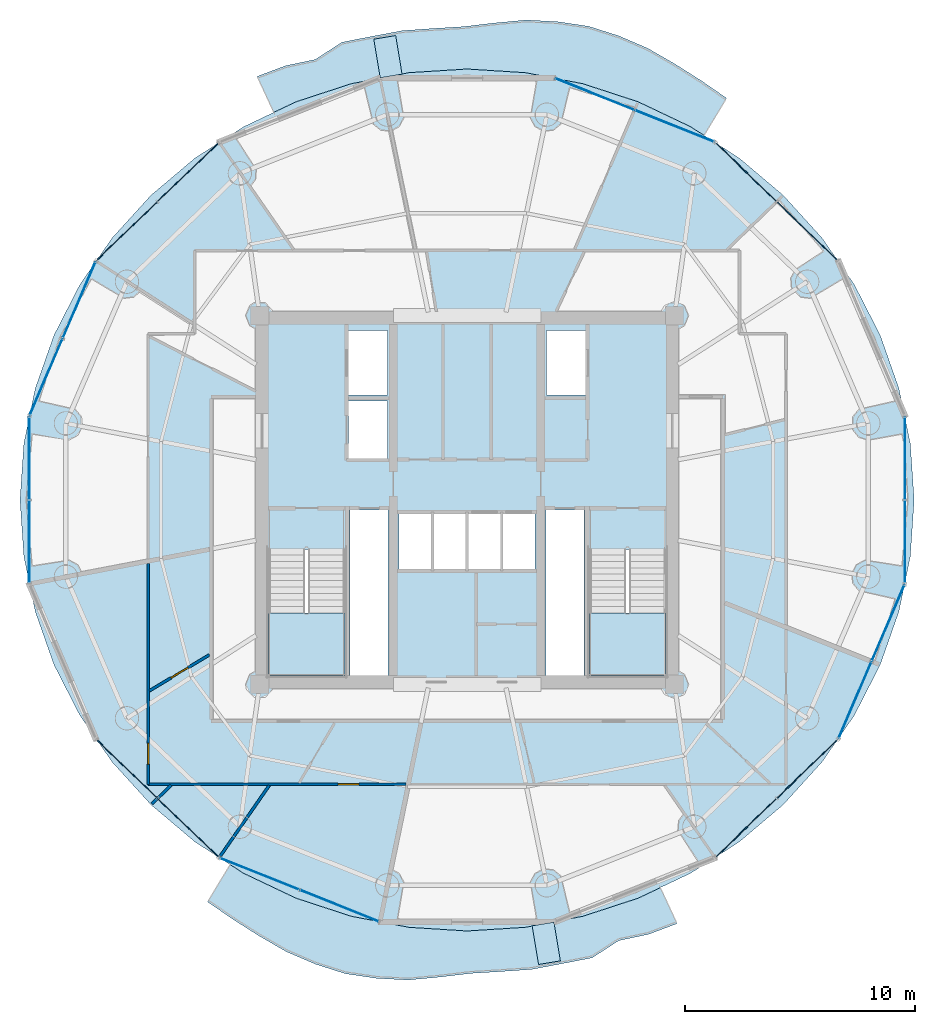
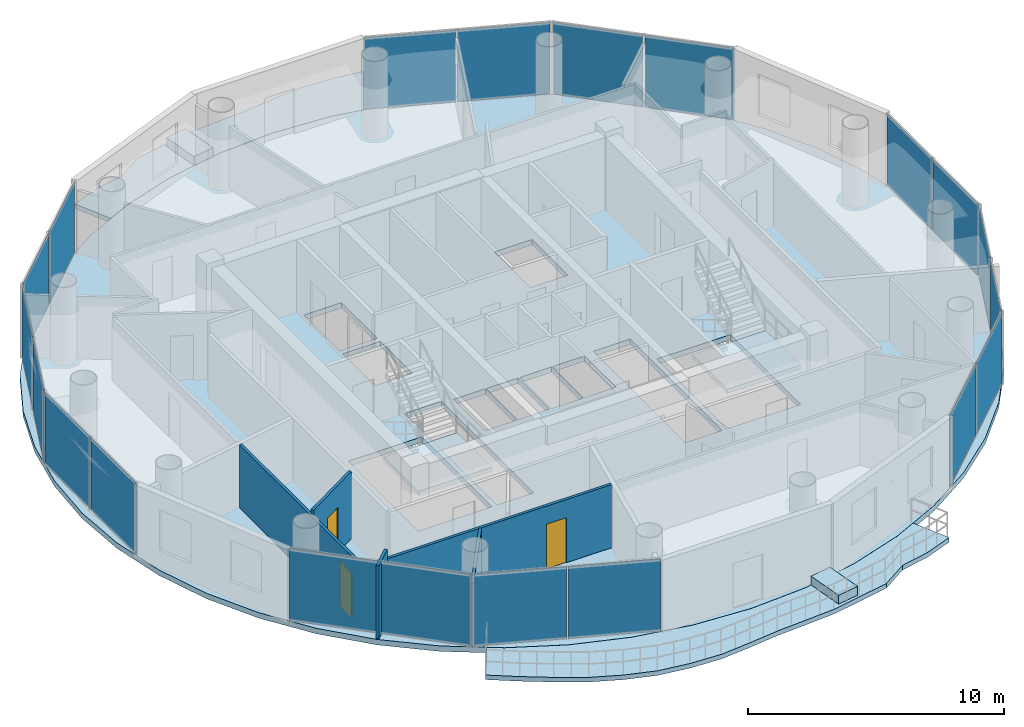
# One storey, part 16 of 23: 20 plates, 7 slabs, 5 walls, 3 doors, 3 openings, 12 elements without a shape of their own.
"""IFC4 building model written with IfcOpenShell, lengths in metres."""

from ifc_helpers import new_model, si_unit, direction, frame, frame_2d, origin, origin_2d, place, context, subcontext, project, spatial, polyline, rectangle, outline, extrude, source, transform, mapped, material, layer, layer_set, type_object, element, fill, aggregate, save


model = new_model("IFC4")

# Units and contexts
model_context = context("Model", 3, precision=1e-05, world=origin(), true_north=direction((-0.2419218956, 0.970295726276)))
body_context = subcontext(model_context, "Body", "Model", "MODEL_VIEW")
ifc_project = project(units=[si_unit("LENGTHUNIT", "METRE"), si_unit("AREAUNIT", "SQUARE_METRE"), si_unit("VOLUMEUNIT", "CUBIC_METRE"), si_unit("PLANEANGLEUNIT", "RADIAN"), si_unit("MASSUNIT", "GRAM", prefix="KILO")], contexts=[model_context])

# Site, building, storey
site_placement = place(None, origin())
site = spatial("IfcSite", under=ifc_project, at=site_placement, CompositionType="ELEMENT")
building_placement = place(site_placement, origin())
building = spatial("IfcBuilding", under=site, at=building_placement, Name="Cobrevalo Terracotta Tower", CompositionType="ELEMENT")
storey_placement = place(building_placement, frame((0.0, 0.0, 248.199951171875)))
storey = spatial("IfcBuildingStorey", under=building, at=storey_placement, Name="L65", CompositionType="ELEMENT", Elevation=248.199951171875)

# Stair, slab
ifc_material_1 = material(Name="Concrete C50", Category="concrete")
stair_type = type_object("IfcStairType", Name="Core protected escape dogleg stair 1600", PredefinedType="HALF_TURN_STAIR", material=ifc_material_1)
stair_1_placement = place(storey_placement, origin())
stair_1 = element("IfcStair", 1, at=stair_1_placement, inside=storey, type_object=stair_type, Name="L65 Protected exit stair ST-1", PredefinedType="HALF_TURN_STAIR")
ifc_layer_1 = layer(ifc_material_1, 0.199951171875)
ifc_layer_set_1 = layer_set([ifc_layer_1], Name="Concrete C50")
slab_type_1 = type_object("IfcSlabType", Name="Reinforced Concrete Stair Landing 200", PredefinedType="LANDING", material=ifc_layer_set_1)
slab_1_placement = place(storey_placement, frame((0.0, 0.0, 1.675048828125)))
slab_1 = element("IfcSlab", 2, at=slab_1_placement, type_object=slab_type_1, Name="ST-1 landing 1", PredefinedType="LANDING", context=body_context, shape_type="SweptSolid", body=[
    extrude(outline(polyline([(29.375, 21.89990234375), (29.375, 19.175048828125), (32.695068359375, 19.175048828125), (32.695068359375, 21.89990234375), (29.375, 21.89990234375)])), origin(), (0.0, 0.0, 1.0), 0.199951171875),
])
aggregate(stair_1, [slab_1])

stair_2_placement = place(storey_placement, origin())
stair_2 = element("IfcStair", 3, at=stair_2_placement, inside=storey, type_object=stair_type, Name="L65 Protected exit stair ST-2", PredefinedType="HALF_TURN_STAIR")
slab_2_placement = place(storey_placement, frame((0.0, 0.0, 1.675048828125)))
slab_2 = element("IfcSlab", 4, at=slab_2_placement, type_object=slab_type_1, Name="ST-2 landing 1", PredefinedType="LANDING", context=body_context, shape_type="SweptSolid", body=[
    extrude(outline(polyline([(43.304931640625, 21.89990234375), (43.304931640625, 19.175048828125), (46.625, 19.175048828125), (46.625, 21.89990234375), (43.304931640625, 21.89990234375)])), origin(), (0.0, 0.0, 1.0), 0.199951171875),
])
aggregate(stair_2, [slab_2])

# Slabs
ifc_material_2 = material(Name="Concrete C45", Category="concrete")
ifc_layer_2 = layer(ifc_material_2, 0.219970703125)
ifc_layer_set_2 = layer_set([ifc_layer_2], Name="Concrete C45")
slab_type_2 = type_object("IfcSlabType", Name="Spiralling cantilevered balcony lobe slab 220 mm", PredefinedType="FLOOR", material=ifc_layer_set_2)
slab_3_placement = place(storey_placement, frame((0.0, 0.0, -0.219970703125)))
element("IfcSlab", 5, at=slab_3_placement, inside=storey, type_object=slab_type_2, Name="L65 spiralling arc balcony slab lobe 1", PredefinedType="FLOOR", context=body_context, shape_type="SweptSolid", body=[
    extrude(outline(polyline([(49.260498046875, 44.23681640625), (48.162841796875, 44.993408203125), (47.02294921875, 45.716796875), (45.843017578125, 46.398193359375), (44.586669921875, 46.9384765625), (43.283203125, 47.353271484375), (41.92626953125, 47.5556640625), (40.560546875, 47.6279296875), (39.19189453125, 47.500732421875), (37.84912109375, 47.34130859375), (36.518310546875, 47.260009765625), (35.188720703125, 47.166748046875), (33.8798828125, 46.919189453125), (32.572021484375, 46.6650390625), (31.416259765625, 45.916748046875), (30.12109375, 45.6435546875), (28.88916015625, 45.180908203125), (29.612060546875, 43.62060546875), (30.5751953125, 44.078369140625), (32.978271484375, 44.86474609375), (35.467529296875, 45.342041015625), (38.0, 45.501953125), (40.532470703125, 45.342041015625), (43.021728515625, 44.86474609375), (45.4248046875, 44.078369140625), (47.700927734375, 42.996337890625), (48.284423828125, 42.62060546875), (49.260498046875, 44.23681640625)])), origin(), (0.0, 0.0, 1.0), 0.219970703125),
])
slab_4_placement = place(storey_placement, frame((0.0, 0.0, -0.219970703125)))
element("IfcSlab", 6, at=slab_4_placement, inside=storey, type_object=slab_type_2, Name="L65 spiralling arc balcony slab lobe 2", PredefinedType="FLOOR", context=body_context, shape_type="SweptSolid", body=[
    extrude(outline(polyline([(26.739501953125, 9.36328125), (27.837158203125, 8.6064453125), (28.97705078125, 7.88330078125), (30.156982421875, 7.20166015625), (31.413330078125, 6.66162109375), (32.716796875, 6.24658203125), (34.07373046875, 6.04443359375), (35.439453125, 5.97216796875), (36.80810546875, 6.099365234375), (38.15087890625, 6.2587890625), (39.481689453125, 6.33984375), (40.811279296875, 6.433349609375), (42.1201171875, 6.6806640625), (43.427978515625, 6.93505859375), (44.583740234375, 7.683349609375), (45.87890625, 7.95654296875), (47.11083984375, 8.419189453125), (46.387939453125, 9.9794921875), (45.4248046875, 9.521484375), (43.021728515625, 8.7353515625), (40.532470703125, 8.258056640625), (38.0, 8.097900390625), (35.467529296875, 8.258056640625), (32.978271484375, 8.7353515625), (30.5751953125, 9.521484375), (28.299072265625, 10.603515625), (27.715576171875, 10.979248046875), (26.739501953125, 9.36328125)])), origin(), (0.0, 0.0, 1.0), 0.219970703125),
])
ifc_material_3 = material(Name="Precast concrete C45", Category="concrete")
ifc_layer_3 = layer(ifc_material_3, 0.419921875)
ifc_layer_set_3 = layer_set([ifc_layer_3], Name="Precast concrete C45")
slab_type_3 = type_object("IfcSlabType", Name="Structural tree planter trough base 420 mm", PredefinedType="USERDEFINED", material=ifc_layer_set_3)
slab_5_placement = place(storey_placement, origin())
element("IfcSlab", 7, at=slab_5_placement, inside=storey, type_object=slab_type_3, Name="L65 structural tree planter trough 1", ObjectType="PLANTER", PredefinedType="USERDEFINED", context=body_context, shape_type="SweptSolid", body=[
    extrude(outline(polyline([(35.1787109375, 45.276611328125), (34.899658203125, 46.95361328125), (33.95263671875, 46.796142578125), (34.231689453125, 45.119140625), (35.1787109375, 45.276611328125)])), origin(), (0.0, 0.0, 1.0), 0.420166015625),
])
slab_6_placement = place(storey_placement, origin())
element("IfcSlab", 8, at=slab_6_placement, inside=storey, type_object=slab_type_3, Name="L65 structural tree planter trough 2", ObjectType="PLANTER", PredefinedType="USERDEFINED", context=body_context, shape_type="SweptSolid", body=[
    extrude(outline(polyline([(40.8212890625, 8.3232421875), (41.100341796875, 6.646240234375), (42.04736328125, 6.803955078125), (41.768310546875, 8.48095703125), (40.8212890625, 8.3232421875)])), origin(), (0.0, 0.0, 1.0), 0.420166015625),
])
ifc_layer_4 = layer(ifc_material_2, 0.260009765625)
ifc_layer_set_4 = layer_set([ifc_layer_4], Name="Concrete C45")
slab_type_4 = type_object("IfcSlabType", Name="Zone Z5 elliptical floor plate 260 mm", PredefinedType="FLOOR", material=ifc_layer_set_4)
slab_7_placement = place(storey_placement, frame((0.0, 0.0, -0.260009765625)))
element("IfcSlab", 9, at=slab_7_placement, inside=storey, type_object=slab_type_4, Name="L65 indoor elliptical floor slab", PredefinedType="FLOOR", context=body_context, shape_type="SweptSolid", body=[
    extrude(outline(polyline([(57.234130859375, 24.359130859375), (56.739013671875, 21.9599609375), (55.92333984375, 19.643798828125), (54.80078125, 17.449951171875), (53.39111328125, 15.416259765625), (51.7177734375, 13.5771484375), (49.81005859375, 11.96435546875), (47.699951171875, 10.605224609375), (45.424072265625, 9.5234375), (43.02099609375, 8.7373046875), (40.5322265625, 8.260009765625), (38.0, 8.10009765625), (35.4677734375, 8.260009765625), (32.97900390625, 8.7373046875), (30.575927734375, 9.5234375), (28.300048828125, 10.605224609375), (26.18994140625, 11.96435546875), (24.2822265625, 13.5771484375), (22.60888671875, 15.416259765625), (21.19921875, 17.449951171875), (20.07666015625, 19.643798828125), (19.260986328125, 21.9599609375), (18.765869140625, 24.359130859375), (18.60009765625, 26.800048828125), (18.765869140625, 29.24072265625), (19.260986328125, 31.639892578125), (20.07666015625, 33.956298828125), (21.19921875, 36.14990234375), (22.60888671875, 38.183837890625), (24.2822265625, 40.02294921875), (26.18994140625, 41.6357421875), (28.300048828125, 42.99462890625), (30.575927734375, 44.07666015625), (32.97900390625, 44.86279296875), (35.4677734375, 45.340087890625), (38.0, 45.5), (40.5322265625, 45.340087890625), (43.02099609375, 44.86279296875), (45.424072265625, 44.07666015625), (47.699951171875, 42.99462890625), (49.81005859375, 41.6357421875), (51.7177734375, 40.02294921875), (53.39111328125, 38.183837890625), (54.80078125, 36.14990234375), (55.92333984375, 33.956298828125), (56.739013671875, 31.639892578125), (57.234130859375, 29.24072265625), (57.39990234375, 26.800048828125), (57.234130859375, 24.359130859375)]), holes=[polyline([(32.695068359375, 19.175048828125), (32.695068359375, 24.659912109375), (29.375, 24.659912109375), (29.375, 19.175048828125), (32.695068359375, 19.175048828125)]), polyline([(34.574951171875, 26.360107421875), (32.919921875, 26.360107421875), (32.919921875, 19.175048828125), (34.574951171875, 19.175048828125), (34.574951171875, 26.360107421875)]), polyline([(36.47998046875, 26.25), (35.050048828125, 26.25), (35.050048828125, 23.800048828125), (36.47998046875, 23.800048828125), (36.47998046875, 26.25)]), polyline([(37.9599609375, 23.800048828125), (37.9599609375, 26.25), (36.530029296875, 26.25), (36.530029296875, 23.800048828125), (37.9599609375, 23.800048828125)]), polyline([(34.550048828125, 28.60009765625), (34.550048828125, 31.10009765625), (32.85009765625, 31.10009765625), (32.85009765625, 28.60009765625), (34.550048828125, 28.60009765625)]), polyline([(34.550048828125, 34.14990234375), (32.85009765625, 34.14990234375), (32.85009765625, 31.35009765625), (34.550048828125, 31.35009765625), (34.550048828125, 34.14990234375)]), polyline([(43.304931640625, 19.175048828125), (46.625, 19.175048828125), (46.625, 24.659912109375), (43.304931640625, 24.659912109375), (43.304931640625, 19.175048828125)]), polyline([(43.080078125, 19.175048828125), (43.080078125, 26.360107421875), (41.425048828125, 26.360107421875), (41.425048828125, 19.175048828125), (43.080078125, 19.175048828125)]), polyline([(39.469970703125, 26.25), (38.0400390625, 26.25), (38.0400390625, 23.800048828125), (39.469970703125, 23.800048828125), (39.469970703125, 26.25)]), polyline([(40.949951171875, 23.800048828125), (40.949951171875, 26.25), (39.52001953125, 26.25), (39.52001953125, 23.800048828125), (40.949951171875, 23.800048828125)]), polyline([(43.14990234375, 31.35009765625), (43.14990234375, 34.14990234375), (41.449951171875, 34.14990234375), (41.449951171875, 31.35009765625), (43.14990234375, 31.35009765625)])]), origin(), (0.0, 0.0, 1.0), 0.260009765625),
])

# Curtain wall, plates
ifc_material_4 = material(Name="Anodized aluminium", Category="aluminium")
curtain_wall_type = type_object("IfcCurtainWallType", Name="Upper-tower triple-glazed penthouse curtain wall CW-U3", PredefinedType="NOTDEFINED", material=ifc_material_4)
curtain_wall_1_placement = place(storey_placement, origin())
curtain_wall_1 = element("IfcCurtainWall", 10, at=curtain_wall_1_placement, inside=storey, type_object=curtain_wall_type, Name="L65 curtain wall CW-L65-S02", PredefinedType="NOTDEFINED")
ifc_material_5 = material(Name="Solar-control low-E double glazing", Category="glass")
ifc_layer_5 = layer(ifc_material_5, 0.028076171875)
ifc_layer_set_5 = layer_set([ifc_layer_5], Name="Solar-control low-E double glazing")
plate_type = type_object("IfcPlateType", Name="Tower solar-control low-E vision glass panel 28 mm", PredefinedType="CURTAIN_PANEL", material=ifc_layer_set_5)
shared_shape_1 = source(origin(), body_context, "Body", "SweptSolid", [
    extrude(rectangle(XDim=3.59130859375, YDim=0.035888671875, at=origin_2d()), origin(), (0.0, 0.0, 1.0), 3.409912109375),
])
plate_1_placement = place(storey_placement, frame((52.755126953125, 38.47412109375, 0.0400390625), z_axis=(0.0, 0.0, 1.0), x_axis=(-0.719996603293, 0.693977586992, 0.0)))
plate_1 = element("IfcPlate", 11, at=plate_1_placement, type_object=plate_type, Name="CW-L65-S02 glazing panel B01", PredefinedType="CURTAIN_PANEL", context=body_context, shape_type="MappedRepresentation", body=[
    mapped(shared_shape_1, transform((0.0, 0.0, 0.0), scale=1.0)),
])
plate_2_placement = place(storey_placement, frame((50.11181640625, 41.02197265625, 0.0400390625), z_axis=(0.0, 0.0, 1.0), x_axis=(-0.719996603293, 0.693977586992, 0.0)))
plate_2 = element("IfcPlate", 12, at=plate_2_placement, type_object=plate_type, Name="CW-L65-S02 glazing panel B02", PredefinedType="CURTAIN_PANEL", context=body_context, shape_type="MappedRepresentation", body=[
    mapped(shared_shape_1, transform((0.0, 0.0, 0.0), scale=1.0)),
])
aggregate(curtain_wall_1, [plate_1, plate_2])

curtain_wall_2_placement = place(storey_placement, origin())
curtain_wall_2 = element("IfcCurtainWall", 13, at=curtain_wall_2_placement, inside=storey, type_object=curtain_wall_type, Name="L65 curtain wall CW-L65-S06", PredefinedType="NOTDEFINED")
plate_3_placement = place(storey_placement, frame((25.88818359375, 41.02197265625, 0.0400390625), z_axis=(0.0, 0.0, 1.0), x_axis=(-0.719996603293, -0.693977586992, 0.0)))
plate_3 = element("IfcPlate", 14, at=plate_3_placement, type_object=plate_type, Name="CW-L65-S06 glazing panel B01", PredefinedType="CURTAIN_PANEL", context=body_context, shape_type="MappedRepresentation", body=[
    mapped(shared_shape_1, transform((0.0, 0.0, 0.0), scale=1.0)),
])
plate_4_placement = place(storey_placement, frame((23.244873046875, 38.47412109375, 0.0400390625), z_axis=(0.0, 0.0, 1.0), x_axis=(-0.719996603293, -0.693977586992, 0.0)))
plate_4 = element("IfcPlate", 15, at=plate_4_placement, type_object=plate_type, Name="CW-L65-S06 glazing panel B02", PredefinedType="CURTAIN_PANEL", context=body_context, shape_type="MappedRepresentation", body=[
    mapped(shared_shape_1, transform((0.0, 0.0, 0.0), scale=1.0)),
])
aggregate(curtain_wall_2, [plate_3, plate_4])

curtain_wall_3_placement = place(storey_placement, origin())
curtain_wall_3 = element("IfcCurtainWall", 16, at=curtain_wall_3_placement, inside=storey, type_object=curtain_wall_type, Name="L65 curtain wall CW-L65-S10", PredefinedType="NOTDEFINED")
plate_5_placement = place(storey_placement, frame((23.244873046875, 15.1259765625, 0.0400390625), z_axis=(0.0, 0.0, 1.0), x_axis=(0.719996603293, -0.693977586992, 0.0)))
plate_5 = element("IfcPlate", 17, at=plate_5_placement, type_object=plate_type, Name="CW-L65-S10 glazing panel B01", PredefinedType="CURTAIN_PANEL", context=body_context, shape_type="MappedRepresentation", body=[
    mapped(shared_shape_1, transform((0.0, 0.0, 0.0), scale=1.0)),
])
plate_6_placement = place(storey_placement, frame((25.88818359375, 12.578125, 0.0400390625), z_axis=(0.0, 0.0, 1.0), x_axis=(0.719996603293, -0.693977586992, 0.0)))
plate_6 = element("IfcPlate", 18, at=plate_6_placement, type_object=plate_type, Name="CW-L65-S10 glazing panel B02", PredefinedType="CURTAIN_PANEL", context=body_context, shape_type="MappedRepresentation", body=[
    mapped(shared_shape_1, transform((0.0, 0.0, 0.0), scale=1.0)),
])
aggregate(curtain_wall_3, [plate_5, plate_6])

curtain_wall_4_placement = place(storey_placement, origin())
curtain_wall_4 = element("IfcCurtainWall", 19, at=curtain_wall_4_placement, inside=storey, type_object=curtain_wall_type, Name="L65 curtain wall CW-L65-S14", PredefinedType="NOTDEFINED")
plate_7_placement = place(storey_placement, frame((50.11181640625, 12.578125, 0.0400390625), z_axis=(0.0, 0.0, 1.0), x_axis=(0.719996603293, 0.693977586992, 0.0)))
plate_7 = element("IfcPlate", 20, at=plate_7_placement, type_object=plate_type, Name="CW-L65-S14 glazing panel B01", PredefinedType="CURTAIN_PANEL", context=body_context, shape_type="MappedRepresentation", body=[
    mapped(shared_shape_1, transform((0.0, 0.0, 0.0), scale=1.0)),
])
plate_8_placement = place(storey_placement, frame((52.755126953125, 15.1259765625, 0.0400390625), z_axis=(0.0, 0.0, 1.0), x_axis=(0.719996603293, 0.693977586992, 0.0)))
plate_8 = element("IfcPlate", 21, at=plate_8_placement, type_object=plate_type, Name="CW-L65-S14 glazing panel B02", PredefinedType="CURTAIN_PANEL", context=body_context, shape_type="MappedRepresentation", body=[
    mapped(shared_shape_1, transform((0.0, 0.0, 0.0), scale=1.0)),
])
aggregate(curtain_wall_4, [plate_7, plate_8])

curtain_wall_5_placement = place(storey_placement, origin())
curtain_wall_5 = element("IfcCurtainWall", 22, at=curtain_wall_5_placement, inside=storey, type_object=curtain_wall_type, Name="L65 curtain wall CW-L65-S03", PredefinedType="NOTDEFINED")
shared_shape_2 = source(origin(), body_context, "Body", "SweptSolid", [
    extrude(rectangle(XDim=3.63916015625, YDim=0.035888671875, at=origin_2d()), origin(), (0.0, 0.0, 1.0), 3.409912109375),
])
plate_9_placement = place(storey_placement, frame((46.997314453125, 43.02783203125, 0.0400390625), z_axis=(0.0, 0.0, 1.0), x_axis=(-0.92871833374, 0.370785998353, 0.0)))
plate_9 = element("IfcPlate", 23, at=plate_9_placement, type_object=plate_type, Name="CW-L65-S03 glazing panel B01", PredefinedType="CURTAIN_PANEL", context=body_context, shape_type="MappedRepresentation", body=[
    mapped(shared_shape_2, transform((0.0, 0.0, 0.0), scale=1.0)),
])
plate_10_placement = place(storey_placement, frame((43.543212890625, 44.406982421875, 0.0400390625), z_axis=(0.0, 0.0, 1.0), x_axis=(-0.92871833374, 0.370785998353, 0.0)))
plate_10 = element("IfcPlate", 24, at=plate_10_placement, type_object=plate_type, Name="CW-L65-S03 glazing panel B02", PredefinedType="CURTAIN_PANEL", context=body_context, shape_type="MappedRepresentation", body=[
    mapped(shared_shape_2, transform((0.0, 0.0, 0.0), scale=1.0)),
])
aggregate(curtain_wall_5, [plate_9, plate_10])

curtain_wall_6_placement = place(storey_placement, origin())
curtain_wall_6 = element("IfcCurtainWall", 25, at=curtain_wall_6_placement, inside=storey, type_object=curtain_wall_type, Name="L65 curtain wall CW-L65-S11", PredefinedType="NOTDEFINED")
plate_11_placement = place(storey_placement, frame((29.002685546875, 10.572021484375, 0.0400390625), z_axis=(0.0, 0.0, 1.0), x_axis=(0.92871833374, -0.370785998353, 0.0)))
plate_11 = element("IfcPlate", 26, at=plate_11_placement, type_object=plate_type, Name="CW-L65-S11 glazing panel B01", PredefinedType="CURTAIN_PANEL", context=body_context, shape_type="MappedRepresentation", body=[
    mapped(shared_shape_2, transform((0.0, 0.0, 0.0), scale=1.0)),
])
plate_12_placement = place(storey_placement, frame((32.456787109375, 9.193115234375, 0.0400390625), z_axis=(0.0, 0.0, 1.0), x_axis=(0.92871833374, -0.370785998353, 0.0)))
plate_12 = element("IfcPlate", 27, at=plate_12_placement, type_object=plate_type, Name="CW-L65-S11 glazing panel B02", PredefinedType="CURTAIN_PANEL", context=body_context, shape_type="MappedRepresentation", body=[
    mapped(shared_shape_2, transform((0.0, 0.0, 0.0), scale=1.0)),
])
aggregate(curtain_wall_6, [plate_11, plate_12])

curtain_wall_7_placement = place(storey_placement, origin())
curtain_wall_7 = element("IfcCurtainWall", 28, at=curtain_wall_7_placement, inside=storey, type_object=curtain_wall_type, Name="L65 curtain wall CW-L65-S07", PredefinedType="NOTDEFINED")
shared_shape_3 = source(origin(), body_context, "Body", "SweptSolid", [
    extrude(rectangle(XDim=3.542724609375, YDim=0.035888671875, at=origin_2d()), origin(), (0.0, 0.0, 1.0), 3.409912109375),
])
plate_13_placement = place(storey_placement, frame((21.16357421875, 35.4716796875, 0.0400390625), z_axis=(0.0, 0.0, 1.0), x_axis=(-0.394828845134, -0.918754691444, 0.0)))
plate_13 = element("IfcPlate", 29, at=plate_13_placement, type_object=plate_type, Name="CW-L65-S07 glazing panel B01", PredefinedType="CURTAIN_PANEL", context=body_context, shape_type="MappedRepresentation", body=[
    mapped(shared_shape_3, transform((0.0, 0.0, 0.0), scale=1.0)),
])
plate_14_placement = place(storey_placement, frame((19.733154296875, 32.143310546875, 0.0400390625), z_axis=(0.0, 0.0, 1.0), x_axis=(-0.394828845134, -0.918754691444, 0.0)))
plate_14 = element("IfcPlate", 30, at=plate_14_placement, type_object=plate_type, Name="CW-L65-S07 glazing panel B02", PredefinedType="CURTAIN_PANEL", context=body_context, shape_type="MappedRepresentation", body=[
    mapped(shared_shape_3, transform((0.0, 0.0, 0.0), scale=1.0)),
])
aggregate(curtain_wall_7, [plate_13, plate_14])

curtain_wall_8_placement = place(storey_placement, origin())
curtain_wall_8 = element("IfcCurtainWall", 31, at=curtain_wall_8_placement, inside=storey, type_object=curtain_wall_type, Name="L65 curtain wall CW-L65-S15", PredefinedType="NOTDEFINED")
plate_15_placement = place(storey_placement, frame((54.83642578125, 18.12841796875, 0.0400390625), z_axis=(0.0, 0.0, 1.0), x_axis=(0.394828845134, 0.918754691444, 0.0)))
plate_15 = element("IfcPlate", 32, at=plate_15_placement, type_object=plate_type, Name="CW-L65-S15 glazing panel B01", PredefinedType="CURTAIN_PANEL", context=body_context, shape_type="MappedRepresentation", body=[
    mapped(shared_shape_3, transform((0.0, 0.0, 0.0), scale=1.0)),
])
plate_16_placement = place(storey_placement, frame((56.266845703125, 21.456787109375, 0.0400390625), z_axis=(0.0, 0.0, 1.0), x_axis=(0.394828845134, 0.918754691444, 0.0)))
plate_16 = element("IfcPlate", 33, at=plate_16_placement, type_object=plate_type, Name="CW-L65-S15 glazing panel B02", PredefinedType="CURTAIN_PANEL", context=body_context, shape_type="MappedRepresentation", body=[
    mapped(shared_shape_3, transform((0.0, 0.0, 0.0), scale=1.0)),
])
aggregate(curtain_wall_8, [plate_15, plate_16])

curtain_wall_9_placement = place(storey_placement, origin())
curtain_wall_9 = element("IfcCurtainWall", 34, at=curtain_wall_9_placement, inside=storey, type_object=curtain_wall_type, Name="L65 curtain wall CW-L65-S08", PredefinedType="NOTDEFINED")
shared_shape_4 = source(origin(), body_context, "Body", "SweptSolid", [
    extrude(rectangle(XDim=3.522216796875, YDim=0.035888671875, at=origin_2d()), origin(), (0.0, 0.0, 1.0), 3.409912109375),
])
plate_17_placement = place(storey_placement, frame((19.002197265625, 28.60107421875, 0.0400390625), z_axis=(0.0, 0.0, 1.0), x_axis=(0.0, -1.0, 0.0)))
plate_17 = element("IfcPlate", 35, at=plate_17_placement, type_object=plate_type, Name="CW-L65-S08 glazing panel B01", PredefinedType="CURTAIN_PANEL", context=body_context, shape_type="MappedRepresentation", body=[
    mapped(shared_shape_4, transform((0.0, 0.0, 0.0), scale=1.0)),
])
plate_18_placement = place(storey_placement, frame((19.002197265625, 24.998779296875, 0.0400390625), z_axis=(0.0, 0.0, 1.0), x_axis=(0.0, -1.0, 0.0)))
plate_18 = element("IfcPlate", 36, at=plate_18_placement, type_object=plate_type, Name="CW-L65-S08 glazing panel B02", PredefinedType="CURTAIN_PANEL", context=body_context, shape_type="MappedRepresentation", body=[
    mapped(shared_shape_4, transform((0.0, 0.0, 0.0), scale=1.0)),
])
aggregate(curtain_wall_9, [plate_17, plate_18])

curtain_wall_10_placement = place(storey_placement, origin())
curtain_wall_10 = element("IfcCurtainWall", 37, at=curtain_wall_10_placement, inside=storey, type_object=curtain_wall_type, Name="L65 curtain wall CW-L65-S16", PredefinedType="NOTDEFINED")
plate_19_placement = place(storey_placement, frame((56.997802734375, 24.998779296875, 0.0400390625), z_axis=(0.0, 0.0, 1.0), x_axis=(0.0, 1.0, 0.0)))
plate_19 = element("IfcPlate", 38, at=plate_19_placement, type_object=plate_type, Name="CW-L65-S16 glazing panel B01", PredefinedType="CURTAIN_PANEL", context=body_context, shape_type="MappedRepresentation", body=[
    mapped(shared_shape_4, transform((0.0, 0.0, 0.0), scale=1.0)),
])
plate_20_placement = place(storey_placement, frame((56.997802734375, 28.60107421875, 0.0400390625), z_axis=(0.0, 0.0, 1.0), x_axis=(0.0, 1.0, 0.0)))
plate_20 = element("IfcPlate", 39, at=plate_20_placement, type_object=plate_type, Name="CW-L65-S16 glazing panel B02", PredefinedType="CURTAIN_PANEL", context=body_context, shape_type="MappedRepresentation", body=[
    mapped(shared_shape_4, transform((0.0, 0.0, 0.0), scale=1.0)),
])
aggregate(curtain_wall_10, [plate_19, plate_20])

# Wall, opening, door
ifc_material_6 = material(Name="Gypsum board on steel stud", Category="steel")
ifc_layer_6 = layer(ifc_material_6, 0.1201171875)
ifc_layer_set_6 = layer_set([ifc_layer_6], Name="Gypsum board on steel stud")
wall_type = type_object("IfcWallType", Name="Residential internal acoustic stud partition 120 mm", PredefinedType="PARTITIONING", material=ifc_layer_set_6)
wall_1_placement = place(storey_placement, frame((35.3525390625, 14.465087890625, 0.0), z_axis=(0.0, 0.0, 1.0), x_axis=(-1.0, 0.0, 0.0)))
wall_1 = element("IfcWall", 40, at=wall_1_placement, inside=storey, type_object=wall_type, Name="L65 interior partition IW-L65-U2-RING0_0", PredefinedType="PARTITIONING", context=body_context, shape_type="SweptSolid", body=[
    extrude(rectangle(XDim=11.1875, YDim=0.1201171875, at=frame_2d((5.59375, 0.0))), origin(), (0.0, 0.0, 1.0), 3.01513671875),
])
opening_1_placement = place(wall_1_placement, frame((2.048828125, 0.0, 0.0)))
opening_1 = element("IfcOpeningElement", 41, at=opening_1_placement, cuts=wall_1, Name="Opening ID-12", PredefinedType="OPENING", context=body_context, shape_type="SweptSolid", body=[
    extrude(rectangle(XDim=0.89990234375, YDim=2.14990234375, at=frame_2d((0.449951171875, 1.074951171875))), frame((0.0, 0.070068359375, 0.0), z_axis=(0.0, -1.0, 0.0), x_axis=(1.0, 0.0, 0.0)), (0.0, 0.0, 1.0), 0.14013671875),
])
ifc_material_7 = material(Name="Engineered timber", Category="wood")
door_type_1 = type_object("IfcDoorType", Name="Internal residence & suite timber door 900x2150", OperationType="NOTDEFINED", PredefinedType="DOOR", material=ifc_material_7)
shared_shape_5 = source(origin(), body_context, "Body", "SweptSolid", [
    extrude(rectangle(XDim=0.89990234375, YDim=2.14990234375, at=frame_2d((0.449951171875, 1.074951171875))), frame((0.0, 0.02490234375, 0.0), z_axis=(0.0, -1.0, 0.0), x_axis=(1.0, 0.0, 0.0)), (0.0, 0.0, 1.0), 0.050048828125),
])
door_1_placement = place(opening_1_placement, origin())
door_1 = element("IfcDoor", 42, at=door_1_placement, inside=storey, type_object=door_type_1, Name="Flat L65B Master Bedroom internal door", OperationType="SINGLE_SWING_RIGHT", OverallHeight=2.14990234375, OverallWidth=0.89990234375, PredefinedType="DOOR", context=body_context, shape_type="MappedRepresentation", body=[
    mapped(shared_shape_5, transform((0.0, 0.0, 0.0), scale=1.0)),
])
fill(opening_1, door_1)

wall_2_placement = place(storey_placement, frame((24.1650390625, 14.465087890625, 0.0), z_axis=(0.0, 0.0, 1.0), x_axis=(0.0, 1.0, 0.0)))
wall_2 = element("IfcWall", 43, at=wall_2_placement, inside=storey, type_object=wall_type, Name="L65 interior partition IW-L65-U2-RING1_0", PredefinedType="PARTITIONING", context=body_context, shape_type="SweptSolid", body=[
    extrude(rectangle(XDim=9.580322265625, YDim=0.1201171875, at=frame_2d((4.7900390625, 0.0))), origin(), (0.0, 0.0, 1.0), 3.01513671875),
])
opening_2_placement = place(wall_2_placement, frame((0.878662109375, 0.0, 0.0)))
opening_2 = element("IfcOpeningElement", 44, at=opening_2_placement, cuts=wall_2, Name="Opening ID-12", PredefinedType="OPENING", context=body_context, shape_type="SweptSolid", body=[
    extrude(rectangle(XDim=0.89990234375, YDim=2.14990234375, at=frame_2d((0.449951171875, 1.074951171875))), frame((0.0, 0.070068359375, 0.0), z_axis=(0.0, -1.0, 0.0), x_axis=(1.0, 0.0, 0.0)), (0.0, 0.0, 1.0), 0.14013671875),
])
door_2_placement = place(opening_2_placement, origin())
door_2 = element("IfcDoor", 45, at=door_2_placement, inside=storey, type_object=door_type_1, Name="Flat L65B Living and Dining Room internal door", OperationType="SINGLE_SWING_RIGHT", OverallHeight=2.14990234375, OverallWidth=0.89990234375, PredefinedType="DOOR", context=body_context, shape_type="MappedRepresentation", body=[
    mapped(shared_shape_5, transform((0.0, 0.0, 0.0), scale=1.0)),
])
fill(opening_2, door_2)

# Walls
wall_3_placement = place(storey_placement, frame((25.15869140625, 14.421875, 0.0), z_axis=(0.0, 0.0, 1.0), x_axis=(-0.720070222664, -0.693901199331, 0.0)))
element("IfcWall", 46, at=wall_3_placement, inside=storey, type_object=wall_type, Name="L65 interior partition IW-L65-U2-ORAD1", PredefinedType="PARTITIONING", context=body_context, shape_type="SweptSolid", body=[
    extrude(rectangle(XDim=1.15673828125, YDim=0.1201171875, at=frame_2d((0.578369140625, 0.0))), origin(), (0.0, 0.0, 1.0), 3.489990234375),
])
wall_4_placement = place(storey_placement, frame((29.4140625, 14.4140625, 0.0), z_axis=(0.0, 0.0, 1.0), x_axis=(-0.569657021681, -0.821882520589, 0.0)))
element("IfcWall", 47, at=wall_4_placement, inside=storey, type_object=wall_type, Name="L65 interior partition IW-L65-U2-ORAD2", PredefinedType="PARTITIONING", context=body_context, shape_type="SweptSolid", body=[
    extrude(rectangle(XDim=3.747802734375, YDim=0.1201171875, at=frame_2d((1.8740234375, 0.0))), origin(), (0.0, 0.0, 1.0), 3.01513671875),
])

# Wall, opening, door
wall_5_placement = place(storey_placement, frame((26.81494140625, 20.081787109375, 0.0), z_axis=(0.0, 0.0, 1.0), x_axis=(-0.857265264382, -0.514875000834, 0.0)))
wall_5 = element("IfcWall", 48, at=wall_5_placement, inside=storey, type_object=wall_type, Name="L65 interior partition IW-L65-U2-IRAD1", PredefinedType="PARTITIONING", context=body_context, shape_type="SweptSolid", body=[
    extrude(rectangle(XDim=3.029052734375, YDim=0.1201171875, at=frame_2d((1.5146484375, 0.0))), origin(), (0.0, 0.0, 1.0), 3.208984375),
])
opening_3_placement = place(wall_5_placement, frame((1.084716796875, 0.0, 0.0)))
opening_3 = element("IfcOpeningElement", 49, at=opening_3_placement, cuts=wall_5, Name="Opening ID-19", PredefinedType="OPENING", context=body_context, shape_type="SweptSolid", body=[
    extrude(rectangle(XDim=0.860107421875, YDim=2.14990234375, at=frame_2d((0.43017578125, 1.074951171875))), frame((0.0, 0.070068359375, 0.0), z_axis=(0.0, -1.0, 0.0), x_axis=(1.0, 0.0, 0.0)), (0.0, 0.0, 1.0), 0.14013671875),
])
ifc_material_8 = material(Name="Moisture-sealed timber", Category="wood")
door_type_2 = type_object("IfcDoorType", Name="Suite bathroom internal timber door 860x2150", OperationType="NOTDEFINED", PredefinedType="DOOR", material=ifc_material_8)
shared_shape_6 = source(origin(), body_context, "Body", "SweptSolid", [
    extrude(rectangle(XDim=0.860107421875, YDim=2.14990234375, at=frame_2d((0.43017578125, 1.074951171875))), frame((0.0, 0.02490234375, 0.0), z_axis=(0.0, -1.0, 0.0), x_axis=(1.0, 0.0, 0.0)), (0.0, 0.0, 1.0), 0.050048828125),
])
door_3_placement = place(opening_3_placement, frame((0.860107421875, 0.0, 0.0), z_axis=(0.0, 0.0, 1.0), x_axis=(-1.0, 0.0, 0.0)))
door_3 = element("IfcDoor", 50, at=door_3_placement, inside=storey, type_object=door_type_2, Name="Flat L65B Primary Bathroom internal door", OperationType="SINGLE_SWING_LEFT", OverallHeight=2.14990234375, OverallWidth=0.860107421875, PredefinedType="DOOR", context=body_context, shape_type="MappedRepresentation", body=[
    mapped(shared_shape_6, transform((0.0, 0.0, 0.0), scale=1.0)),
])
fill(opening_3, door_3)

save(model, "model.ifc")
